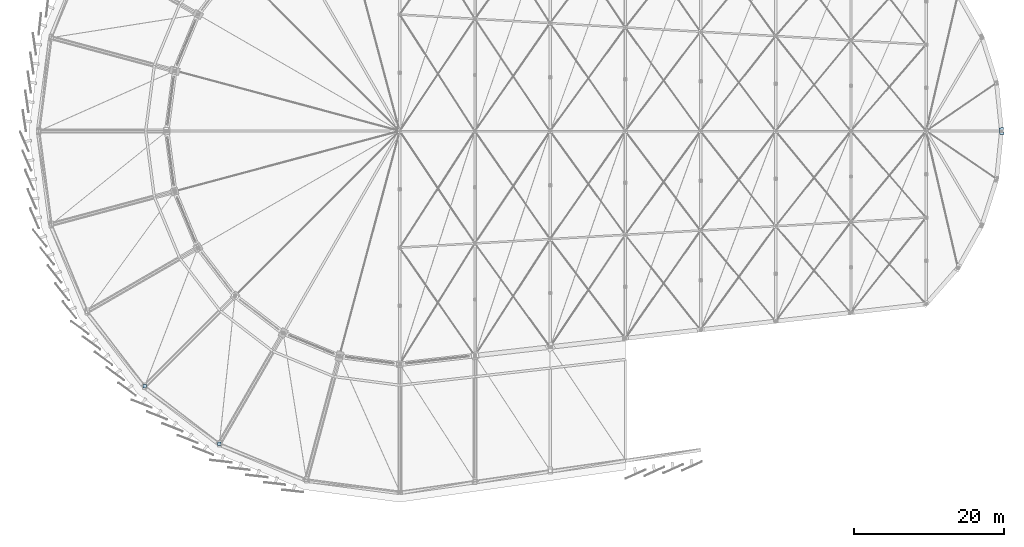
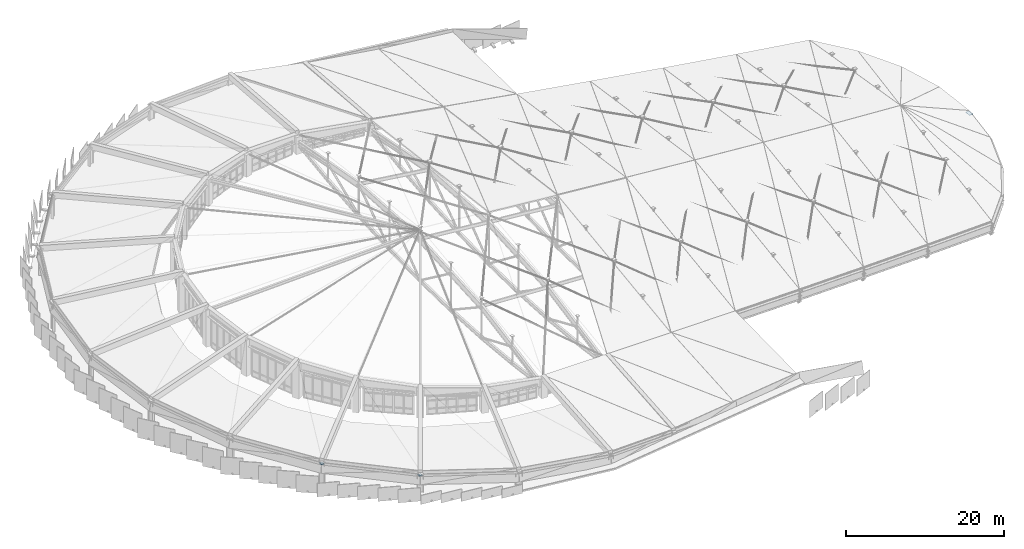
# One storey, part 60 of 68: 3 plates.
"""IFC4 building model written with IfcOpenShell, lengths in metres."""

from ifc_helpers import new_model, si_unit, direction, frame, origin, origin_2d, place, context, subcontext, project, spatial, rectangle, extrude, material, layer, layer_set, type_object, element, save


model = new_model("IFC4")

# Units and contexts
model_context = context("Model", 3, precision=1e-05, world=origin(), true_north=direction((0.0, 1.0)))
body_context = subcontext(model_context, "Body", "Model", "MODEL_VIEW")
ifc_project = project(units=[si_unit("LENGTHUNIT", "METRE"), si_unit("AREAUNIT", "SQUARE_METRE"), si_unit("VOLUMEUNIT", "CUBIC_METRE"), si_unit("PLANEANGLEUNIT", "RADIAN"), si_unit("MASSUNIT", "GRAM", prefix="KILO")], contexts=[model_context])

# Site, building, storey
site_placement = place(None, origin())
site = spatial("IfcSite", under=ifc_project, at=site_placement, CompositionType="ELEMENT")
building_placement = place(site_placement, origin())
building = spatial("IfcBuilding", under=site, at=building_placement, Name="Sohan Crest Arena", CompositionType="ELEMENT")
storey_placement = place(building_placement, frame((0.0, 0.0, 27.0)))
storey = spatial("IfcBuildingStorey", under=building, at=storey_placement, Name="RF", CompositionType="ELEMENT", Elevation=27.0)

# Plates
ifc_material = material(Name="Steel S355", Category="steel")
ifc_layer_1 = layer(ifc_material, 0.031982421875, Name="Steel S355")
ifc_layer_set_1 = layer_set([ifc_layer_1], Name="Steel S355")
plate_type_1 = type_object("IfcPlateType", Name="STR-PL-BP01", PredefinedType="USERDEFINED", material=ifc_layer_set_1)
for number, where, z_axis, x_axis, name in (
    (1, (64.05908203125, 44.05908203125, 3.314453125), (0.0, 0.0, 1.0), (1.0, 0.0, 0.0), "Hollow section end cap plate ECP-0178"),
    (2, (74.0, 36.430908203125, 2.675537109375), (0.0, 0.0, 1.0), (1.0, 0.0, 0.0), "Hollow section end cap plate ECP-0179"),
):
    element("IfcPlate", number, at=place(storey_placement, frame(where, z_axis=z_axis, x_axis=x_axis)), inside=storey, type_object=plate_type_1, Name=name, ObjectType="BASE PLATE", PredefinedType="USERDEFINED", context=body_context, shape_type="SweptSolid", body=[
        extrude(rectangle(XDim=0.449951171875, YDim=0.449951171875, at=origin_2d()), origin(), (0.0, 0.0, 1.0), 0.02490234375),
    ])
ifc_layer_2 = layer(ifc_material, 0.034912109375, Name="Steel S355")
ifc_layer_set_2 = layer_set([ifc_layer_2], Name="Steel S355")
plate_type_2 = type_object("IfcPlateType", Name="STR-PL-GP03", PredefinedType="USERDEFINED", material=ifc_layer_set_2)
plate_placement = place(storey_placement, frame((178.02294921875, 78.0, -3.2275390625), z_axis=(0.0, 0.0, 1.0), x_axis=(-0.102792536787, 0.994702817117, 0.0)))
element("IfcPlate", 3, at=plate_placement, inside=storey, type_object=plate_type_2, Name="Ring beam node gusset plate GP-RB24", ObjectType="GUSSET PLATE", PredefinedType="USERDEFINED", context=body_context, shape_type="SweptSolid", body=[
    extrude(rectangle(XDim=0.89990234375, YDim=0.550048828125, at=origin_2d()), origin(), (0.0, 0.0, 1.0), 0.034912109375),
])

save(model, "model.ifc")
